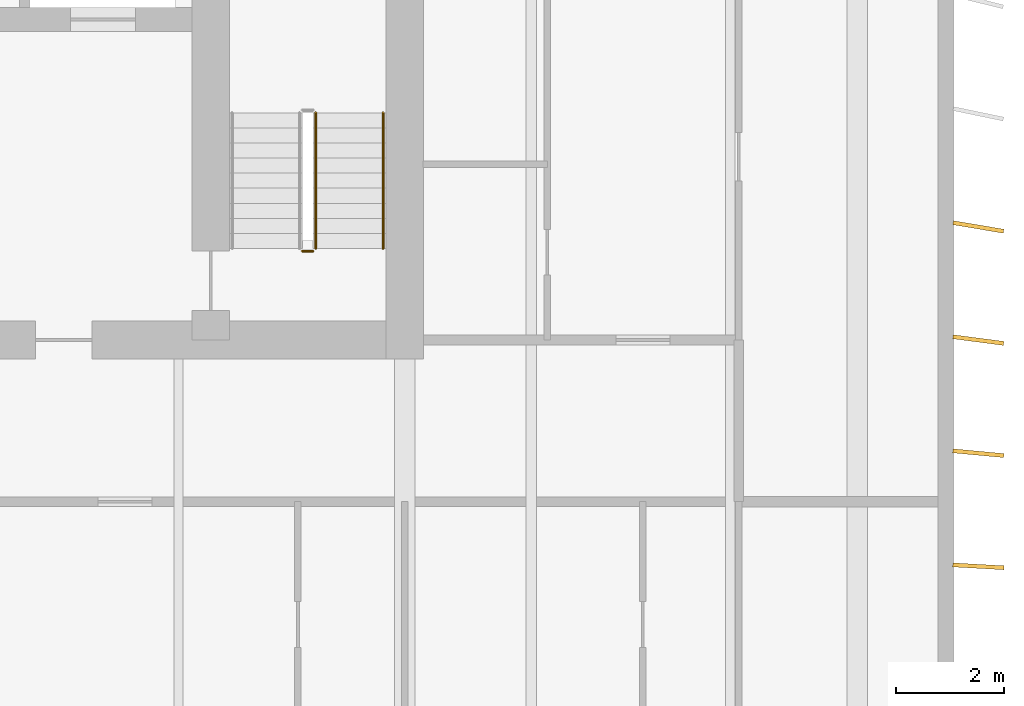
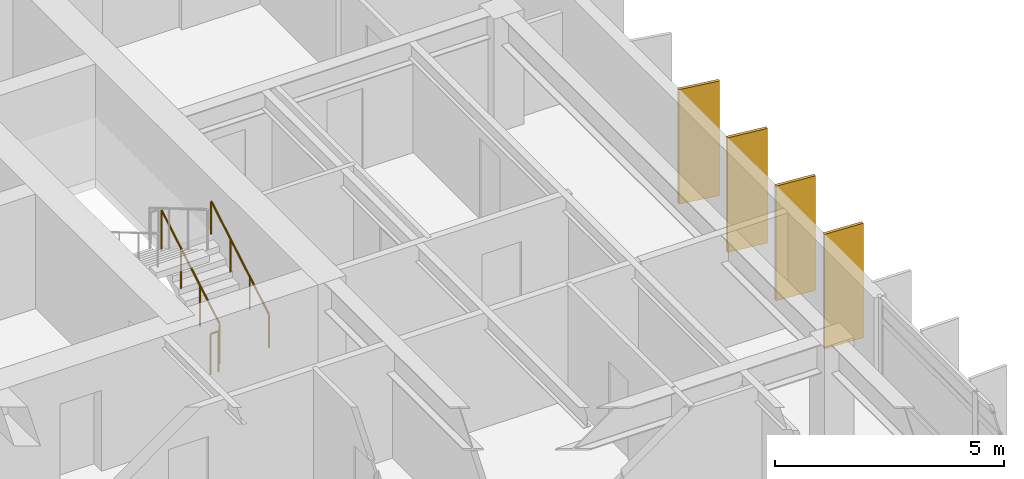
# One storey, part 15 of 17: 4 shading devices, 3 railings.
"""IFC4 building model written with IfcOpenShell, lengths in metres."""

import ifcopenshell
import ifcopenshell.guid

model = None  # the IFC model being written
_history = None  # IfcOwnerHistory: only IFC2X3 demands one
_inside = {}  # id of a spatial element -> (the spatial element, [elements in it])
_under = {}  # id of a project, library or spatial element -> (it, [spatial elements below it])
_declared = {}  # id of a project -> (the project, [libraries it declares])
_typed = {}  # id of a type object -> (the type object, [elements of that type])
_made_of = {}  # id of a material, layer set ... -> (it, [elements and type objects made of it])


def new_model(schema):
    """Start an empty IFC model of exactly this schema.

    Asked for "IFC4X3", IfcOpenShell would pick the latest addendum, in which some entities
    have other attributes; the version numbers below select the first issue.
    IFC2X3 requires an IfcOwnerHistory on every rooted entity: one is made here for all.
    """
    global model, _history
    if schema == "IFC4X3":
        model = ifcopenshell.file(schema_version=(4, 3, 0, 0))
    else:
        model = ifcopenshell.file(schema=schema)
    _inside.clear()
    _under.clear()
    _declared.clear()
    _typed.clear()
    _made_of.clear()
    _history = None
    if model.schema == "IFC2X3":
        org = make("IfcOrganization", Name="unknown")
        user = make(
            "IfcPersonAndOrganization",
            ThePerson=make("IfcPerson", FamilyName="unknown"),
            TheOrganization=org,
        )
        app = make(
            "IfcApplication",
            ApplicationDeveloper=org,
            Version="unknown",
            ApplicationFullName="unknown",
            ApplicationIdentifier="unknown",
        )
        _history = make(
            "IfcOwnerHistory",
            OwningUser=user,
            OwningApplication=app,
            ChangeAction="ADDED",
            CreationDate=0,
        )
    return model


def make(cls, **values):
    """One entity of the class cls with the attributes given. An attribute that is None is left unset."""
    return model.create_entity(
        cls, **{name: value for name, value in values.items() if value is not None}
    )


def rooted(cls, **values):
    """An entity with a GlobalId (a new one), such as an element, a storey or a relation."""
    return make(cls, GlobalId=ifcopenshell.guid.new(), OwnerHistory=_history, **values)


def si_unit(unit_type, name, prefix=None):
    """IfcSIUnit, for example si_unit("LENGTHUNIT", "METRE", prefix="MILLI")."""
    return make("IfcSIUnit", UnitType=unit_type, Prefix=prefix, Name=name)


def assignment(units):
    """IfcUnitAssignment: the units of a project."""
    return None if units is None else make("IfcUnitAssignment", Units=units)


def point(xyz):
    """IfcCartesianPoint."""
    return None if xyz is None else make("IfcCartesianPoint", Coordinates=xyz)


def direction(xyz):
    """IfcDirection."""
    return None if xyz is None else make("IfcDirection", DirectionRatios=xyz)


def frame(location, z_axis=None, x_axis=None):
    """IfcAxis2Placement3D, a coordinate frame: its origin and axes. An axis left out is left unset."""
    return make(
        "IfcAxis2Placement3D",
        Location=point(location),
        Axis=direction(z_axis),
        RefDirection=direction(x_axis),
    )


def frame_2d(location, x_axis=None):
    """IfcAxis2Placement2D, a coordinate frame in the plane: its origin and x axis."""
    return make(
        "IfcAxis2Placement2D", Location=point(location), RefDirection=direction(x_axis)
    )


def origin():
    """The frame at (0, 0, 0) with its axes left unset."""
    return frame((0.0, 0.0, 0.0))


def origin_2d():
    """The frame at (0, 0) in the plane with its x axis left unset."""
    return frame_2d((0.0, 0.0))


def place(relative_to, where):
    """IfcLocalPlacement: puts the frame where relative to a parent placement (None: the world)."""
    return make(
        "IfcLocalPlacement", PlacementRelTo=relative_to, RelativePlacement=where
    )


def context(
    kind, dimensions, precision=None, world=None, true_north=None, identifier=None
):
    """IfcGeometricRepresentationContext, for example the 3D "Model" context."""
    return make(
        "IfcGeometricRepresentationContext",
        ContextIdentifier=identifier,
        ContextType=kind,
        CoordinateSpaceDimension=dimensions,
        Precision=precision,
        WorldCoordinateSystem=world,
        TrueNorth=true_north,
    )


def subcontext(parent, identifier, kind, view, scale=None):
    """IfcGeometricRepresentationSubContext, for example "Body" below "Model"."""
    return make(
        "IfcGeometricRepresentationSubContext",
        ContextIdentifier=identifier,
        ContextType=kind,
        ParentContext=parent,
        TargetScale=scale,
        TargetView=view,
    )


def project(units=None, contexts=None):
    """IfcProject with its units and contexts."""
    return rooted(
        "IfcProject",
        Name="project",
        RepresentationContexts=contexts,
        UnitsInContext=assignment(units),
    )


def spatial(cls, under=None, at=None, **own):
    """A site, building, storey or space (cls), placed at a placement, below another one or the project."""
    s = rooted(cls, ObjectPlacement=at, **own)
    if under is not None:
        _under.setdefault(under.id(), (under, []))[1].append(s)
    return s


def profile(cls, at=None, kind="AREA", **sizes):
    """A parametric profile (cls). Its sizes go by their IFC names, for example OverallWidth=200.0."""
    return make(cls, ProfileType=kind, Position=at, **sizes)


def rectangle(**sizes):
    """IfcRectangleProfileDef."""
    return profile("IfcRectangleProfileDef", **sizes)


def circle(**sizes):
    """IfcCircleProfileDef."""
    return profile("IfcCircleProfileDef", **sizes)


def extrude(swept, where, along, depth):
    """IfcExtrudedAreaSolid: the profile swept, set in the frame where, extruded along a direction by depth."""
    return make(
        "IfcExtrudedAreaSolid",
        SweptArea=swept,
        Position=where,
        ExtrudedDirection=direction(along),
        Depth=depth,
    )


def shape(context_of_items, identifier, shape_type, items):
    """IfcShapeRepresentation: the items that make up one representation, for example the "Body"."""
    return make(
        "IfcShapeRepresentation",
        ContextOfItems=context_of_items,
        RepresentationIdentifier=identifier,
        RepresentationType=shape_type,
        Items=items,
    )


def material(Name=None, Category=None):
    """IfcMaterial."""
    return make("IfcMaterial", Name=Name, Category=Category)


def material_profile(
    of_material, cross_section, Name=None, Category=None, Priority=None
):
    """IfcMaterialProfile: a cross section and its material."""
    return make(
        "IfcMaterialProfile",
        Name=Name,
        Material=of_material,
        Profile=cross_section,
        Priority=Priority,
        Category=Category,
    )


def profile_set(profiles, Name=None, composite=None):
    """IfcMaterialProfileSet."""
    return make(
        "IfcMaterialProfileSet",
        Name=Name,
        MaterialProfiles=profiles,
        CompositeProfile=composite,
    )


def made_of(thing, what):
    """Note that an element or type object is made of a material, layer set ...; save() writes the relation."""
    if what is not None:
        _made_of.setdefault(what.id(), (what, []))[1].append(thing)
    return thing


def type_object(cls, material=None, **own):
    """A type object (cls), such as IfcWallType, which elements share."""
    return made_of(rooted(cls, **own), material)


def element(
    cls,
    number,
    at=None,
    inside=None,
    cuts=None,
    type_object=None,
    material=None,
    context=None,
    identifier="Body",
    shape_type=None,
    held_by="IfcProductDefinitionShape",
    body=None,
    shapes=None,
    **own,
):
    """One element of the class cls, such as IfcWall. Its Tag is "e" and its number.

    at: its placement. inside: the storey or other place that contains it. cuts: it is an
    opening in that element (IfcRelVoidsElement). A single representation is given by context,
    identifier, shape_type and body (its items); several are given by shapes. held_by: the class
    of the entity that holds the representations. save() writes the other relations.
    """
    e = rooted(cls, Tag="e%d" % number, ObjectPlacement=at, **own)
    if body is not None:
        shapes = [shape(context, identifier, shape_type, body)]
    if shapes is not None:
        e.Representation = make(held_by, Representations=shapes)
    if inside is not None:
        _inside.setdefault(inside.id(), (inside, []))[1].append(e)
    if cuts is not None:
        rooted(
            "IfcRelVoidsElement", RelatingBuildingElement=cuts, RelatedOpeningElement=e
        )
    if type_object is not None:
        _typed.setdefault(type_object.id(), (type_object, []))[1].append(e)
    return made_of(e, material)


def aggregate(whole, parts):
    """IfcRelAggregates: a whole, such as a stair, and the parts it consists of."""
    return rooted("IfcRelAggregates", RelatingObject=whole, RelatedObjects=parts)


def save(model, path):
    """Write the relations noted so far, then the file.

    IfcRelAggregates (storeys below a building ...), IfcRelContainedInSpatialStructure (elements
    in a storey), IfcRelDefinesByType, IfcRelAssociatesMaterial and IfcRelDeclares: one each for
    every whole, place, type object, material and project.
    """
    for whole, parts in _under.values():
        aggregate(whole, parts)
    for where, things in _inside.values():
        rooted(
            "IfcRelContainedInSpatialStructure",
            RelatedElements=things,
            RelatingStructure=where,
        )
    for kind, things in _typed.values():
        rooted("IfcRelDefinesByType", RelatedObjects=things, RelatingType=kind)
    for what, things in _made_of.values():
        rooted("IfcRelAssociatesMaterial", RelatedObjects=things, RelatingMaterial=what)
    for by, libraries in _declared.values():
        rooted("IfcRelDeclares", RelatingContext=by, RelatedDefinitions=libraries)
    model.write(path)


model = new_model("IFC4")

# Units and contexts
model_context = context("Model", 3, precision=1e-05, world=origin(), true_north=direction((0.0, 1.0)))
body_context = subcontext(model_context, "Body", "Model", "MODEL_VIEW")
ifc_project = project(units=[si_unit("LENGTHUNIT", "METRE"), si_unit("AREAUNIT", "SQUARE_METRE"), si_unit("VOLUMEUNIT", "CUBIC_METRE"), si_unit("PLANEANGLEUNIT", "RADIAN"), si_unit("MASSUNIT", "GRAM", prefix="KILO")], contexts=[model_context])

# Site, building, storey
site_placement = place(None, origin())
site = spatial("IfcSite", under=ifc_project, at=site_placement, CompositionType="ELEMENT")
building_placement = place(site_placement, origin())
building = spatial("IfcBuilding", under=site, at=building_placement, Name="Caelmar Bay Residences", CompositionType="ELEMENT")
storey_placement = place(building_placement, frame((0.0, 0.0, 236.39990234375)))
storey = spatial("IfcBuildingStorey", under=building, at=storey_placement, Name="L66", CompositionType="ELEMENT", Elevation=236.39990234375)

# Railings
ifc_material_1 = material(Name="Painted galvanized steel stair guard 1100 mm", Category="steel")
railing_type_1 = type_object("IfcRailingType", Name="RL-GRD-1100", PredefinedType="GUARDRAIL", material=ifc_material_1)
railing_1_placement = place(storey_placement, frame((57.85009765625, 38.699951171875, 0.1650390625)))
element("IfcRailing", 1, at=railing_1_placement, inside=storey, type_object=railing_type_1, Name="L66 ST2 stair guard 1", PredefinedType="GUARDRAIL", context=body_context, shape_type="SweptSolid", body=[
    extrude(circle(Radius=0.02392578125, at=origin_2d()), frame((0.0, 0.0, 1.076171875), z_axis=(0.0, 0.86152411907, 0.507716645641), x_axis=(-1.0, 0.0, 0.0)), (0.0, 0.0, 1.0), 2.925048828125),
    extrude(circle(Radius=0.02099609375, at=origin_2d()), origin(), (0.0, 0.0, 1.0), 1.052001953125),
    extrude(circle(Radius=0.02099609375, at=origin_2d()), frame((0.0, 0.840087890625, 0.4951171875)), (0.0, 0.0, 1.0), 1.052001953125),
    extrude(circle(Radius=0.02099609375, at=origin_2d()), frame((0.0, 1.679931640625, 0.989990234375)), (0.0, 0.0, 1.0), 1.052001953125),
    extrude(circle(Radius=0.02099609375, at=origin_2d()), frame((0.0, 2.52001953125, 1.485107421875)), (0.0, 0.0, 1.0), 1.052001953125),
])
railing_2_placement = place(storey_placement, frame((57.800048828125, 38.64990234375, 0.0)))
element("IfcRailing", 2, at=railing_2_placement, inside=storey, type_object=railing_type_1, Name="L66 ST2 stair guard 4", PredefinedType="GUARDRAIL", context=body_context, shape_type="SweptSolid", body=[
    extrude(circle(Radius=0.02392578125, at=origin_2d()), frame((0.0, 0.0, 1.076171875), z_axis=(-1.0, 0.0, 0.0), x_axis=(0.0, -1.0, 0.0)), (0.0, 0.0, 1.0), 0.199951171875),
    extrude(circle(Radius=0.02099609375, at=origin_2d()), origin(), (0.0, 0.0, 1.0), 1.052001953125),
    extrude(circle(Radius=0.02099609375, at=origin_2d()), frame((-0.199951171875, 0.0, 0.0)), (0.0, 0.0, 1.0), 1.052001953125),
])
ifc_material_2 = material(Name="Brushed bronze stainless-steel tubular handrail 900 mm", Category="steel")
railing_type_2 = type_object("IfcRailingType", Name="RL-HND-900", PredefinedType="HANDRAIL", material=ifc_material_2)
railing_3_placement = place(storey_placement, frame((59.10009765625, 38.699951171875, 0.1650390625)))
element("IfcRailing", 3, at=railing_3_placement, inside=storey, type_object=railing_type_2, Name="L66 ST2 stair handrail 1", PredefinedType="HANDRAIL", context=body_context, shape_type="SweptSolid", body=[
    extrude(circle(Radius=0.02392578125, at=origin_2d()), frame((0.0, 0.0, 0.8759765625), z_axis=(0.0, 0.86152411907, 0.507716645641), x_axis=(-1.0, 0.0, 0.0)), (0.0, 0.0, 1.0), 2.925048828125),
    extrude(circle(Radius=0.02099609375, at=origin_2d()), origin(), (0.0, 0.0, 1.0), 0.851806640625),
    extrude(circle(Radius=0.02099609375, at=origin_2d()), frame((0.0, 0.840087890625, 0.4951171875)), (0.0, 0.0, 1.0), 0.851806640625),
    extrude(circle(Radius=0.02099609375, at=origin_2d()), frame((0.0, 1.679931640625, 0.989990234375)), (0.0, 0.0, 1.0), 0.851806640625),
    extrude(circle(Radius=0.02099609375, at=origin_2d()), frame((0.0, 2.52001953125, 1.485107421875)), (0.0, 0.0, 1.0), 0.851806640625),
])

# Shading devices
ifc_material_3 = material(Name="Anodised architectural bronze aluminium 6063-T6", Category="aluminium")
ifc_material_profile = material_profile(ifc_material_3, rectangle(XDim=0.074951171875, YDim=0.949951171875, at=origin_2d()), Name="BRONZE-FIN-75X950")
ifc_profile_set = profile_set([ifc_material_profile], Name="Anodised architectural bronze aluminium 6063-T6")
shading_device_type = type_object("IfcShadingDeviceType", Name="SHD-FIN-950", PredefinedType="USERDEFINED", material=ifc_profile_set)
for number, where, z_axis, x_axis, name in (
    (4, (70.14990234375, 32.800048828125, 0.0), (0.0, 0.0, 1.0), (0.055821504993, 0.998440764182, 0.0), "L66 East Bronze Solar Fin 10"),
    (5, (70.14990234375, 34.89990234375, 0.0), (0.0, 0.0, 1.0), (0.092891934994, 0.995676196569, 0.0), "L66 East Bronze Solar Fin 11"),
    (6, (70.14990234375, 37.0, 0.0), (0.0, 0.0, 1.0), (0.130007055036, 0.99151306882, 0.0), "L66 East Bronze Solar Fin 12"),
    (7, (70.14990234375, 39.10009765625, 0.0), (0.0, 0.0, 1.0), (0.166768746716, 0.985996037071, 0.0), "L66 East Bronze Solar Fin 13"),
):
    element("IfcShadingDevice", number, at=place(storey_placement, frame(where, z_axis=z_axis, x_axis=x_axis)), inside=storey, type_object=shading_device_type, Name=name, ObjectType="FIN", PredefinedType="USERDEFINED", context=body_context, shape_type="SweptSolid", body=[
        extrude(rectangle(XDim=0.074951171875, YDim=0.949951171875, at=origin_2d()), origin(), (0.0, 0.0, 1.0), 3.050048828125),
    ])

save(model, "model.ifc")
